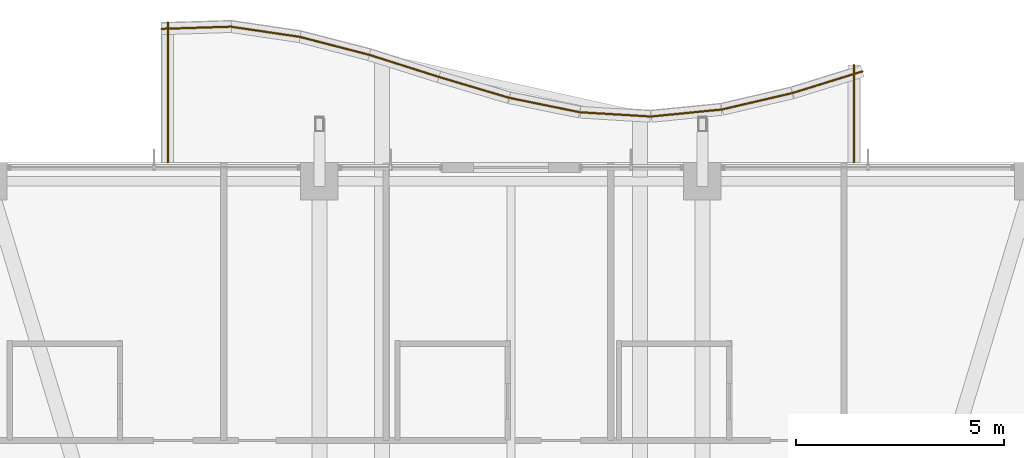
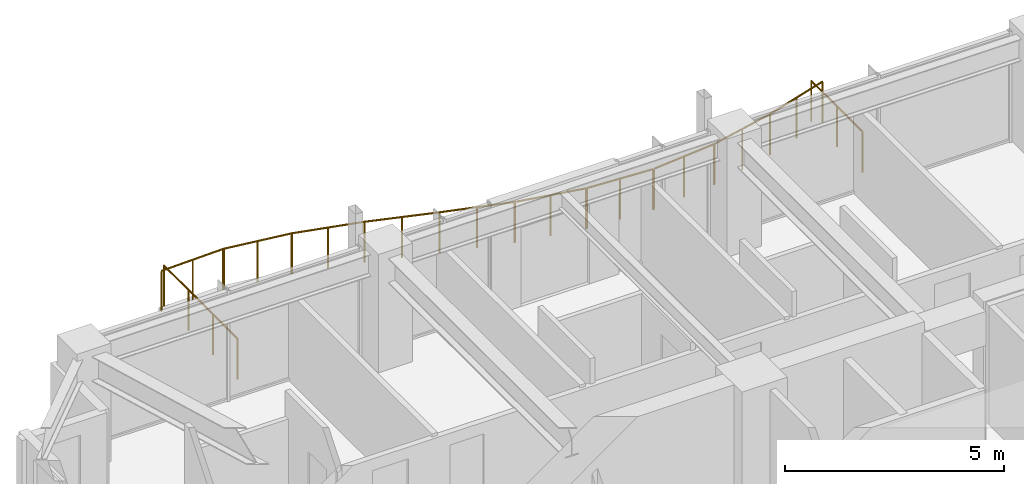
# One storey, part 32 of 32: 12 railings.
"""IFC4 building model written with IfcOpenShell, lengths in metres."""

from ifc_helpers import new_model, si_unit, direction, frame, origin, origin_2d, place, context, subcontext, project, spatial, circle, extrude, material, type_object, element, save


model = new_model("IFC4")

# Units and contexts
model_context = context("Model", 3, precision=1e-05, world=origin(), true_north=direction((0.0, 1.0)))
body_context = subcontext(model_context, "Body", "Model", "MODEL_VIEW")
ifc_project = project(units=[si_unit("LENGTHUNIT", "METRE"), si_unit("AREAUNIT", "SQUARE_METRE"), si_unit("VOLUMEUNIT", "CUBIC_METRE"), si_unit("PLANEANGLEUNIT", "RADIAN"), si_unit("MASSUNIT", "GRAM", prefix="KILO")], contexts=[model_context])

# Site, building, storey
site_placement = place(None, origin())
site = spatial("IfcSite", under=ifc_project, at=site_placement, CompositionType="ELEMENT")
building_placement = place(site_placement, origin())
building = spatial("IfcBuilding", under=site, at=building_placement, Name="Kolvaren Belvedere", CompositionType="ELEMENT")
storey_placement = place(building_placement, frame((0.0, 0.0, 160.199951171875)))
storey = spatial("IfcBuildingStorey", under=building, at=storey_placement, Name="L46", CompositionType="ELEMENT", Elevation=160.199951171875)

# Railings
ifc_material = material(Name="Anodised pale-metal aluminium & laminated glass guard", Category="aluminium")
railing_type = type_object("IfcRailingType", Name="RL-GUARD-1150", PredefinedType="GUARDRAIL", material=ifc_material)
railing_1_placement = place(storey_placement, frame((8.239990234375, 19.10009765625, 0.400146484375)))
element("IfcRailing", 1, at=railing_1_placement, inside=storey, type_object=railing_type, Name="L46 Exterior Deck Safety Guard BAL-N-11", PredefinedType="GUARDRAIL", context=body_context, shape_type="SweptSolid", body=[
    extrude(circle(Radius=0.02392578125, at=origin_2d()), frame((0.0, 0.0, 1.1259765625), z_axis=(0.0, 1.0, 0.0), x_axis=(-1.0, 0.0, 0.0)), (0.0, 0.0, 1.0), 2.33984375),
    extrude(circle(Radius=0.02099609375, at=origin_2d()), origin(), (0.0, 0.0, 1.0), 1.101806640625),
    extrude(circle(Radius=0.02099609375, at=origin_2d()), frame((0.0, 1.169921875, 0.0)), (0.0, 0.0, 1.0), 1.101806640625),
    extrude(circle(Radius=0.02099609375, at=origin_2d()), frame((0.0, 2.33984375, 0.0)), (0.0, 0.0, 1.0), 1.101806640625),
])
railing_2_placement = place(storey_placement, frame((8.447265625, 21.287109375, 0.400146484375)))
element("IfcRailing", 2, at=railing_2_placement, inside=storey, type_object=railing_type, Name="L46 Exterior Deck Safety Guard BAL-N-12", PredefinedType="GUARDRAIL", context=body_context, shape_type="SweptSolid", body=[
    extrude(circle(Radius=0.02392578125, at=origin_2d()), frame((0.0, 0.0, 1.1259765625), z_axis=(-0.95524013163, -0.295831524561, 0.0), x_axis=(0.295831524561, -0.95524013163, 0.0)), (0.0, 0.0, 1.0), 1.758544921875),
    extrude(circle(Radius=0.02099609375, at=origin_2d()), origin(), (0.0, 0.0, 1.0), 1.101806640625),
    extrude(circle(Radius=0.02099609375, at=origin_2d()), frame((-0.83984375, -0.26025390625, 0.0)), (0.0, 0.0, 1.0), 1.101806640625),
    extrude(circle(Radius=0.02099609375, at=origin_2d()), frame((-1.679931640625, -0.520263671875, 0.0)), (0.0, 0.0, 1.0), 1.101806640625),
])
railing_3_placement = place(storey_placement, frame((6.75634765625, 20.763916015625, 0.400146484375)))
element("IfcRailing", 3, at=railing_3_placement, inside=storey, type_object=railing_type, Name="L46 Exterior Deck Safety Guard BAL-N-13", PredefinedType="GUARDRAIL", context=body_context, shape_type="SweptSolid", body=[
    extrude(circle(Radius=0.02392578125, at=origin_2d()), frame((0.0, 0.0, 1.1259765625), z_axis=(-0.973890253884, -0.227019323824, 0.0), x_axis=(0.227019323824, -0.973890253884, 0.0)), (0.0, 0.0, 1.0), 1.724853515625),
    extrude(circle(Radius=0.02099609375, at=origin_2d()), origin(), (0.0, 0.0, 1.0), 1.101806640625),
    extrude(circle(Radius=0.02099609375, at=origin_2d()), frame((-0.83984375, -0.19580078125, 0.0)), (0.0, 0.0, 1.0), 1.101806640625),
    extrude(circle(Radius=0.02099609375, at=origin_2d()), frame((-1.679931640625, -0.3916015625, 0.0)), (0.0, 0.0, 1.0), 1.101806640625),
])
railing_4_placement = place(storey_placement, frame((5.0556640625, 20.368896484375, 0.400146484375)))
element("IfcRailing", 4, at=railing_4_placement, inside=storey, type_object=railing_type, Name="L46 Exterior Deck Safety Guard BAL-N-14", PredefinedType="GUARDRAIL", context=body_context, shape_type="SweptSolid", body=[
    extrude(circle(Radius=0.02392578125, at=origin_2d()), frame((0.0, 0.0, 1.1259765625), z_axis=(-0.995152499202, -0.098343801694, 0.0), x_axis=(0.098343801694, -0.995152499202, 0.0)), (0.0, 0.0, 1.0), 1.688232421875),
    extrude(circle(Radius=0.02099609375, at=origin_2d()), origin(), (0.0, 0.0, 1.0), 1.101806640625),
    extrude(circle(Radius=0.02099609375, at=origin_2d()), frame((-0.83984375, -0.0830078125, 0.0)), (0.0, 0.0, 1.0), 1.101806640625),
    extrude(circle(Radius=0.02099609375, at=origin_2d()), frame((-1.679931640625, -0.166015625, 0.0)), (0.0, 0.0, 1.0), 1.101806640625),
])
railing_5_placement = place(storey_placement, frame((3.350341796875, 20.202392578125, 0.400146484375)))
element("IfcRailing", 5, at=railing_5_placement, inside=storey, type_object=railing_type, Name="L46 Exterior Deck Safety Guard BAL-N-15", PredefinedType="GUARDRAIL", context=body_context, shape_type="SweptSolid", body=[
    extrude(circle(Radius=0.02392578125, at=origin_2d()), frame((0.0, 0.0, 1.1259765625), z_axis=(-0.998212296378, 0.059767979379, 0.0), x_axis=(-0.059767979379, -0.998212296378, 0.0)), (0.0, 0.0, 1.0), 1.682861328125),
    extrude(circle(Radius=0.02099609375, at=origin_2d()), origin(), (0.0, 0.0, 1.0), 1.101806640625),
    extrude(circle(Radius=0.02099609375, at=origin_2d()), frame((-0.83984375, 0.05029296875, 0.0)), (0.0, 0.0, 1.0), 1.101806640625),
    extrude(circle(Radius=0.02099609375, at=origin_2d()), frame((-1.679931640625, 0.1005859375, 0.0)), (0.0, 0.0, 1.0), 1.101806640625),
])
railing_6_placement = place(storey_placement, frame((1.64794921875, 20.305908203125, 0.400146484375)))
element("IfcRailing", 6, at=railing_6_placement, inside=storey, type_object=railing_type, Name="L46 Exterior Deck Safety Guard BAL-N-16", PredefinedType="GUARDRAIL", context=body_context, shape_type="SweptSolid", body=[
    extrude(circle(Radius=0.02392578125, at=origin_2d()), frame((0.0, 0.0, 1.1259765625), z_axis=(-0.979839912937, 0.199784246163, 0.0), x_axis=(-0.199784246163, -0.979839912937, 0.0)), (0.0, 0.0, 1.0), 1.714599609375),
    extrude(circle(Radius=0.02099609375, at=origin_2d()), origin(), (0.0, 0.0, 1.0), 1.101806640625),
    extrude(circle(Radius=0.02099609375, at=origin_2d()), frame((-0.83984375, 0.17138671875, 0.0)), (0.0, 0.0, 1.0), 1.101806640625),
    extrude(circle(Radius=0.02099609375, at=origin_2d()), frame((-1.679931640625, 0.342529296875, 0.0)), (0.0, 0.0, 1.0), 1.101806640625),
])
railing_7_placement = place(storey_placement, frame((-0.045654296875, 20.65185546875, 0.400146484375)))
element("IfcRailing", 7, at=railing_7_placement, inside=storey, type_object=railing_type, Name="L46 Exterior Deck Safety Guard BAL-N-17", PredefinedType="GUARDRAIL", context=body_context, shape_type="SweptSolid", body=[
    extrude(circle(Radius=0.02392578125, at=origin_2d()), frame((0.0, 0.0, 1.1259765625), z_axis=(-0.95856309129, 0.284880325779, 0.0), x_axis=(-0.284880325779, -0.95856309129, 0.0)), (0.0, 0.0, 1.0), 1.75244140625),
    extrude(circle(Radius=0.02099609375, at=origin_2d()), origin(), (0.0, 0.0, 1.0), 1.101806640625),
    extrude(circle(Radius=0.02099609375, at=origin_2d()), frame((-0.83984375, 0.24951171875, 0.0)), (0.0, 0.0, 1.0), 1.101806640625),
    extrude(circle(Radius=0.02099609375, at=origin_2d()), frame((-1.679931640625, 0.499267578125, 0.0)), (0.0, 0.0, 1.0), 1.101806640625),
])
railing_8_placement = place(storey_placement, frame((-1.728515625, 21.152099609375, 0.400146484375)))
element("IfcRailing", 8, at=railing_8_placement, inside=storey, type_object=railing_type, Name="L46 Exterior Deck Safety Guard BAL-N-18", PredefinedType="GUARDRAIL", context=body_context, shape_type="SweptSolid", body=[
    extrude(circle(Radius=0.02392578125, at=origin_2d()), frame((0.0, 0.0, 1.1259765625), z_axis=(-0.953181954832, 0.302397356111, 0.0), x_axis=(-0.302397356111, -0.953181954832, 0.0)), (0.0, 0.0, 1.0), 1.762451171875),
    extrude(circle(Radius=0.02099609375, at=origin_2d()), origin(), (0.0, 0.0, 1.0), 1.101806640625),
    extrude(circle(Radius=0.02099609375, at=origin_2d()), frame((-0.83984375, 0.2666015625, 0.0)), (0.0, 0.0, 1.0), 1.101806640625),
    extrude(circle(Radius=0.02099609375, at=origin_2d()), frame((-1.679931640625, 0.532958984375, 0.0)), (0.0, 0.0, 1.0), 1.101806640625),
])
railing_9_placement = place(storey_placement, frame((-3.400146484375, 21.6826171875, 0.400146484375)))
element("IfcRailing", 9, at=railing_9_placement, inside=storey, type_object=railing_type, Name="L46 Exterior Deck Safety Guard BAL-N-19", PredefinedType="GUARDRAIL", context=body_context, shape_type="SweptSolid", body=[
    extrude(circle(Radius=0.02392578125, at=origin_2d()), frame((0.0, 0.0, 1.1259765625), z_axis=(-0.968132209145, 0.250439664624, 0.0), x_axis=(-0.250439664624, -0.968132209145, 0.0)), (0.0, 0.0, 1.0), 1.7353515625),
    extrude(circle(Radius=0.02099609375, at=origin_2d()), origin(), (0.0, 0.0, 1.0), 1.101806640625),
    extrude(circle(Radius=0.02099609375, at=origin_2d()), frame((-0.83984375, 0.21728515625, 0.0)), (0.0, 0.0, 1.0), 1.101806640625),
    extrude(circle(Radius=0.02099609375, at=origin_2d()), frame((-1.679931640625, 0.4345703125, 0.0)), (0.0, 0.0, 1.0), 1.101806640625),
])
railing_10_placement = place(storey_placement, frame((-5.063232421875, 22.114013671875, 0.400146484375)))
element("IfcRailing", 10, at=railing_10_placement, inside=storey, type_object=railing_type, Name="L46 Exterior Deck Safety Guard BAL-N-20", PredefinedType="GUARDRAIL", context=body_context, shape_type="SweptSolid", body=[
    extrude(circle(Radius=0.02392578125, at=origin_2d()), frame((0.0, 0.0, 1.1259765625), z_axis=(-0.98929818871, 0.145907826437, 0.0), x_axis=(-0.145907826437, -0.98929818871, 0.0)), (0.0, 0.0, 1.0), 1.6982421875),
    extrude(circle(Radius=0.02099609375, at=origin_2d()), origin(), (0.0, 0.0, 1.0), 1.101806640625),
    extrude(circle(Radius=0.02099609375, at=origin_2d()), frame((-0.840087890625, 0.1240234375, 0.0)), (0.0, 0.0, 1.0), 1.101806640625),
    extrude(circle(Radius=0.02099609375, at=origin_2d()), frame((-1.68017578125, 0.247802734375, 0.0)), (0.0, 0.0, 1.0), 1.101806640625),
])
railing_11_placement = place(storey_placement, frame((-6.715087890625, 22.360107421875, 0.400146484375)))
element("IfcRailing", 11, at=railing_11_placement, inside=storey, type_object=railing_type, Name="L46 Exterior Deck Safety Guard BAL-N-21", PredefinedType="GUARDRAIL", context=body_context, shape_type="SweptSolid", body=[
    extrude(circle(Radius=0.02392578125, at=origin_2d()), frame((0.0, 0.0, 1.1259765625), z_axis=(-0.999503107358, -0.031520443874, 0.0), x_axis=(0.031520443874, -0.999503107358, 0.0)), (0.0, 0.0, 1.0), 1.6806640625),
    extrude(circle(Radius=0.02099609375, at=origin_2d()), origin(), (0.0, 0.0, 1.0), 1.101806640625),
    extrude(circle(Radius=0.02099609375, at=origin_2d()), frame((-0.83984375, -0.0263671875, 0.0)), (0.0, 0.0, 1.0), 1.101806640625),
    extrude(circle(Radius=0.02099609375, at=origin_2d()), frame((-1.679931640625, -0.052978515625, 0.0)), (0.0, 0.0, 1.0), 1.101806640625),
])
railing_12_placement = place(storey_placement, frame((-8.239990234375, 22.467041015625, 0.400146484375)))
element("IfcRailing", 12, at=railing_12_placement, inside=storey, type_object=railing_type, Name="L46 Exterior Deck Safety Guard BAL-N-22", PredefinedType="GUARDRAIL", context=body_context, shape_type="SweptSolid", body=[
    extrude(circle(Radius=0.02392578125, at=origin_2d()), frame((0.0, 0.0, 1.1259765625), z_axis=(0.0, -1.0, 0.0), x_axis=(1.0, 0.0, 0.0)), (0.0, 0.0, 1.0), 3.366943359375),
    extrude(circle(Radius=0.02099609375, at=origin_2d()), origin(), (0.0, 0.0, 1.0), 1.101806640625),
    extrude(circle(Radius=0.02099609375, at=origin_2d()), frame((0.0, -1.122314453125, 0.0)), (0.0, 0.0, 1.0), 1.101806640625),
    extrude(circle(Radius=0.02099609375, at=origin_2d()), frame((0.0, -2.24462890625, 0.0)), (0.0, 0.0, 1.0), 1.101806640625),
    extrude(circle(Radius=0.02099609375, at=origin_2d()), frame((0.0, -3.366943359375, 0.0)), (0.0, 0.0, 1.0), 1.101806640625),
])

save(model, "model.ifc")
